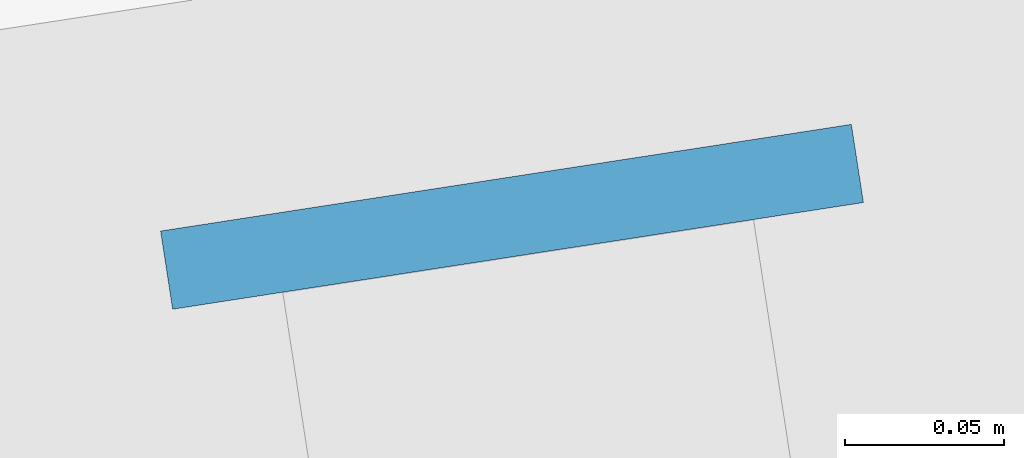
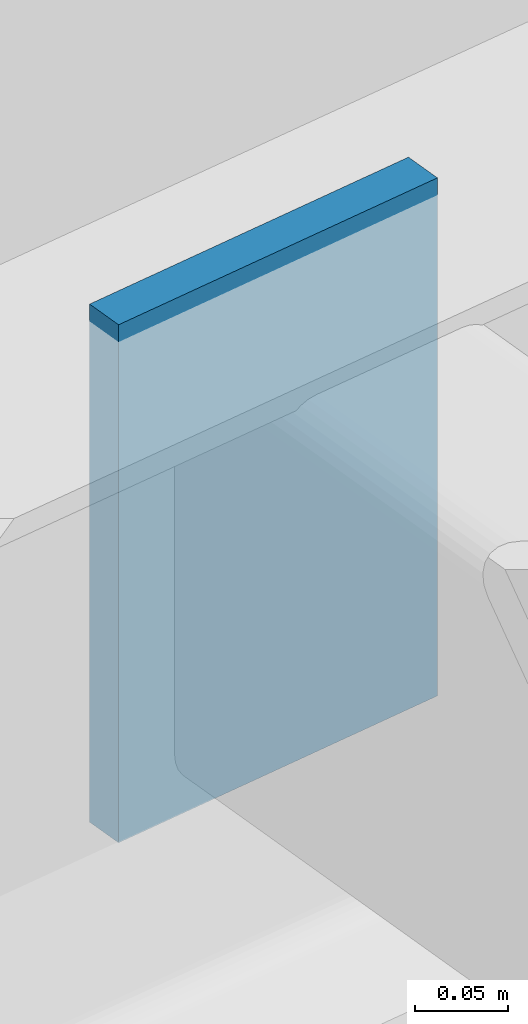
# One storey, part 6 of 14: 1 plate.
"""IFC4 building model written with IfcOpenShell, lengths in metres."""

from ifc_helpers import new_model, si_unit, direction, frame, origin, origin_2d, place, context, subcontext, project, spatial, rectangle, extrude, material, layer, layer_set, type_object, element, save


model = new_model("IFC4")

# Units and contexts
model_context = context("Model", 3, precision=1e-05, world=origin(), true_north=direction((0.0, 1.0)))
body_context = subcontext(model_context, "Body", "Model", "MODEL_VIEW")
ifc_project = project(units=[si_unit("LENGTHUNIT", "METRE"), si_unit("AREAUNIT", "SQUARE_METRE"), si_unit("VOLUMEUNIT", "CUBIC_METRE"), si_unit("PLANEANGLEUNIT", "RADIAN"), si_unit("MASSUNIT", "GRAM", prefix="KILO")], contexts=[model_context])

# Site, building, storey
site_placement = place(None, origin())
site = spatial("IfcSite", under=ifc_project, at=site_placement, CompositionType="ELEMENT")
building_placement = place(site_placement, origin())
building = spatial("IfcBuilding", under=site, at=building_placement, Name="Valkerne Bourse Tower", CompositionType="ELEMENT")
storey_placement = place(building_placement, frame((0.0, 0.0, 198.0)))
storey = spatial("IfcBuildingStorey", under=building, at=storey_placement, Name="L50", CompositionType="ELEMENT", Elevation=198.0)

# Plate
ifc_material = material(Name="Steel ASTM A572 Grade 50", Category="steel")
ifc_layer = layer(ifc_material, 0.02490234375)
ifc_layer_set = layer_set([ifc_layer], Name="Steel ASTM A572 Grade 50")
plate_type = type_object("IfcPlateType", Name="PLT-CAP-300", PredefinedType="SHEET", material=ifc_layer_set)
plate_placement = place(storey_placement, frame((60.645751953125, 27.7265625, 3.27001953125), z_axis=(0.0, 0.0, 1.0), x_axis=(-0.15264087019, 0.98828172337, 0.0)))
element("IfcPlate", 1, at=plate_placement, inside=storey, type_object=plate_type, Name="L50 HSS300x150 Purlin End Cap Plate PLT-CAP300-L50-003", PredefinedType="SHEET", context=body_context, shape_type="SweptSolid", body=[
    extrude(rectangle(XDim=0.02490234375, YDim=0.219970703125, at=origin_2d()), origin(), (0.0, 0.0, 1.0), 0.340087890625),
])

save(model, "model.ifc")
